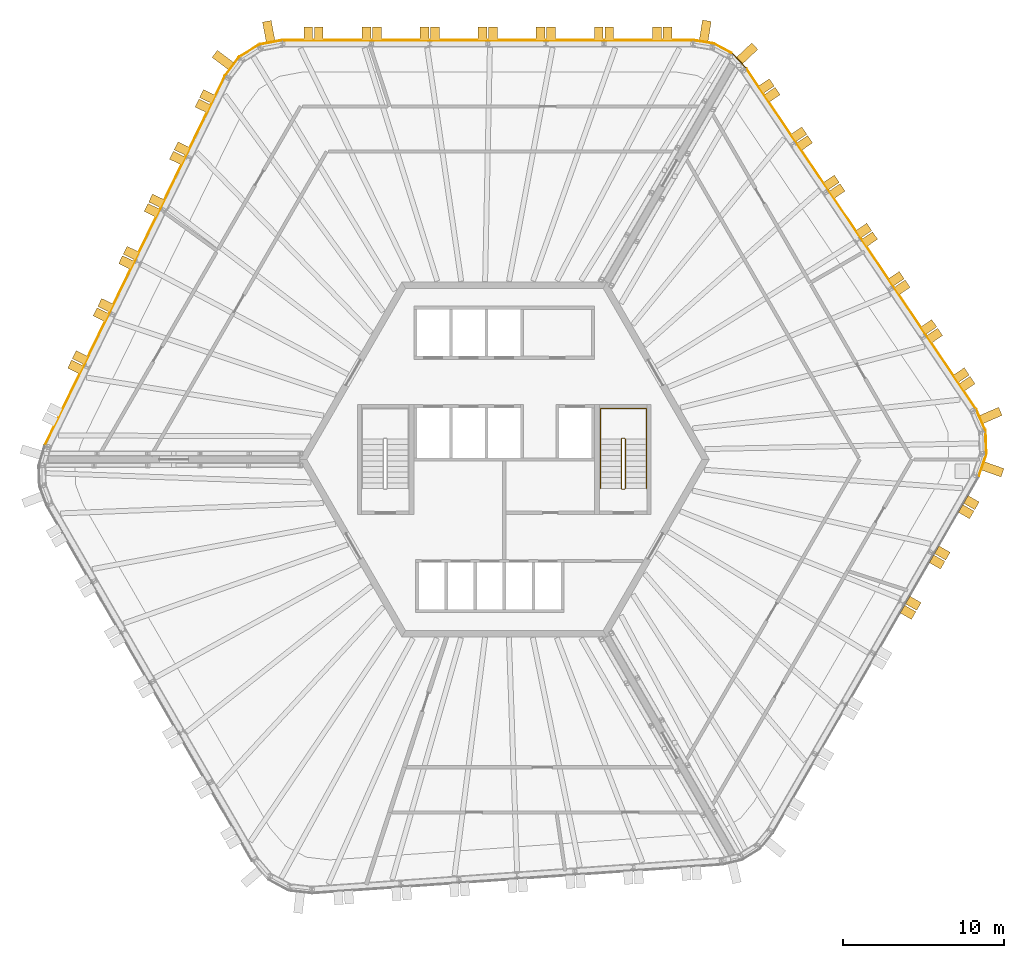
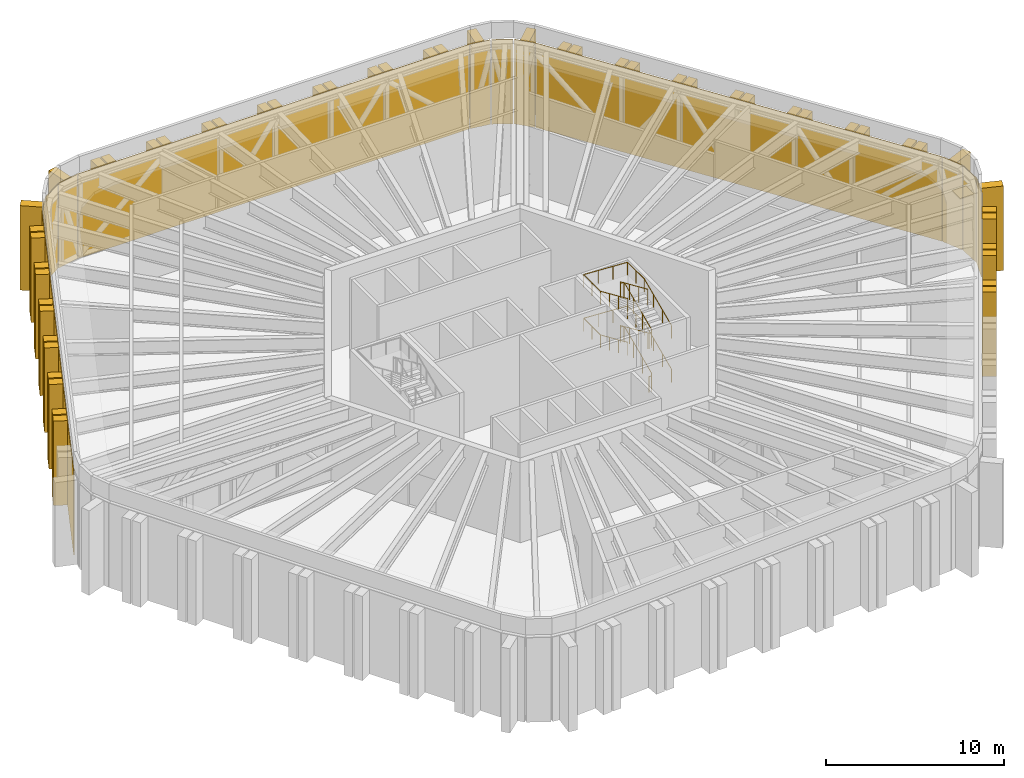
# One storey, part 19 of 19: 64 shading devices, 3 railings.
"""IFC4 building model written with IfcOpenShell, lengths in metres."""

from ifc_helpers import new_model, si_unit, direction, frame, origin, origin_2d, place, context, subcontext, project, spatial, polyline, circle, outline, extrude, material, layer, layer_set, type_object, element, save


model = new_model("IFC4")

# Units and contexts
model_context = context("Model", 3, precision=1e-05, world=origin(), true_north=direction((0.0, 1.0)))
body_context = subcontext(model_context, "Body", "Model", "MODEL_VIEW")
ifc_project = project(units=[si_unit("LENGTHUNIT", "METRE"), si_unit("AREAUNIT", "SQUARE_METRE"), si_unit("VOLUMEUNIT", "CUBIC_METRE"), si_unit("PLANEANGLEUNIT", "RADIAN"), si_unit("MASSUNIT", "GRAM", prefix="KILO")], contexts=[model_context])

# Site, building, storey
site_placement = place(None, origin())
site = spatial("IfcSite", under=ifc_project, at=site_placement, CompositionType="ELEMENT")
building_placement = place(site_placement, origin())
building = spatial("IfcBuilding", under=site, at=building_placement, Name="Tarnside Tower", CompositionType="ELEMENT")
storey_placement = place(building_placement, frame((0.0, 0.0, 343.5)))
storey = spatial("IfcBuildingStorey", under=building, at=storey_placement, Name="L83", CompositionType="ELEMENT", Elevation=343.5)

# Shading devices
ifc_material_1 = material(Name="Aluminium alloy 6063 louvre", Category="aluminium")
shading_device_type_1 = type_object("IfcShadingDeviceType", Name="Louvre panel 48", PredefinedType="USERDEFINED", material=ifc_material_1)
shading_device_1_placement = place(storey_placement, frame((-1.024658203125, 25.951416015625, -0.300048828125), z_axis=(1.0, 0.0, 0.0), x_axis=(0.0, 1.0, 0.0)))
element("IfcShadingDevice", 1, at=shading_device_1_placement, inside=storey, type_object=shading_device_type_1, Name="Louvre L83 001", ObjectType="LOUVRE", PredefinedType="USERDEFINED", context=body_context, shape_type="SweptSolid", body=[
    extrude(outline(polyline([(0.0, 0.0), (0.048583984375, 0.0), (0.048583984375, 5.800048828125), (0.0, 5.800048828125), (0.0, 0.0)])), frame((0.0, 0.0, -12.72216796875)), (0.0, 0.0, 1.0), 25.444580078125),
])
for number, where, z_axis, x_axis, name in (
    (2, (-14.466552734375, 25.819580078125, -0.300048828125), (0.982716086324, 0.185119133749, 0.0), (-0.185119133749, 0.982716086324, 0.0), "Louvre L83 002"),
    (3, (-15.806884765625, 25.296142578125, -0.300048828125), (0.848046866281, 0.52992123244, 0.0), (-0.52992123244, 0.848046866281, 0.0), "Louvre L83 003"),
    (4, (-16.86474609375, 24.321044921875, -0.300048828125), (0.597172479283, 0.802112853648, 0.0), (-0.802112853648, 0.597172479283, 0.0), "Louvre L83 004"),
):
    element("IfcShadingDevice", number, at=place(storey_placement, frame(where, z_axis=z_axis, x_axis=x_axis)), inside=storey, type_object=shading_device_type_1, Name=name, ObjectType="LOUVRE", PredefinedType="USERDEFINED", context=body_context, shape_type="SweptSolid", body=[
        extrude(outline(polyline([(0.0, 0.0), (0.048583984375, 0.0), (0.048583984375, 5.800048828125), (0.0, 5.800048828125), (0.0, 0.0)])), frame((0.0, 0.0, -0.694091796875)), (0.0, 0.0, 1.0), 1.38818359375),
    ])
shading_device_2_placement = place(storey_placement, frame((-22.875732421875, 12.29736328125, -0.300048828125), z_axis=(0.438369584529, 0.898794808263, 0.0), x_axis=(-0.898794808263, 0.438369584529, 0.0)))
element("IfcShadingDevice", 5, at=shading_device_2_placement, inside=storey, type_object=shading_device_type_1, Name="Louvre L83 005", ObjectType="LOUVRE", PredefinedType="USERDEFINED", context=body_context, shape_type="SweptSolid", body=[
    extrude(outline(polyline([(0.0, 0.0), (0.048583984375, 0.0), (0.048583984375, 5.800048828125), (0.0, 5.800048828125), (0.0, 0.0)])), frame((0.0, 0.0, -12.722412109375)), (0.0, 0.0, 1.0), 25.44482421875),
])
for number, where, z_axis, x_axis, name in (
    (6, (29.59375, -0.38134765625, -0.300048828125), (-0.331078710953, -0.943603140708, 0.0), (0.943603140708, -0.331078710953, 0.0), "Louvre L83 018"),
    (7, (29.810546875, 1.041015625, -0.300048828125), (0.034864188899, -0.99939205937, 0.0), (0.99939205937, 0.034864188899, 0.0), "Louvre L83 019"),
    (8, (29.494873046875, 2.44482421875, -0.300048828125), (0.396135174217, -0.918192204142, 0.0), (0.918192204142, 0.396135174217, 0.0), "Louvre L83 020"),
):
    element("IfcShadingDevice", number, at=place(storey_placement, frame(where, z_axis=z_axis, x_axis=x_axis)), inside=storey, type_object=shading_device_type_1, Name=name, ObjectType="LOUVRE", PredefinedType="USERDEFINED", context=body_context, shape_type="SweptSolid", body=[
        extrude(outline(polyline([(0.0, 0.0), (0.048583984375, 0.0), (0.048583984375, 5.800048828125), (0.0, 5.800048828125), (0.0, 0.0)])), frame((0.0, 0.0, -0.694091796875)), (0.0, 0.0, 1.0), 1.38818359375),
    ])
shading_device_3_placement = place(storey_placement, frame((22.087890625, 13.662353515625, -0.300048828125), z_axis=(0.559191422957, -0.829038571172, 0.0), x_axis=(0.829038571172, 0.559191422957, 0.0)))
element("IfcShadingDevice", 9, at=shading_device_3_placement, inside=storey, type_object=shading_device_type_1, Name="Louvre L83 021", ObjectType="LOUVRE", PredefinedType="USERDEFINED", context=body_context, shape_type="SweptSolid", body=[
    extrude(outline(polyline([(0.0, 0.0), (0.048583984375, 0.0), (0.048583984375, 5.800048828125), (0.0, 5.800048828125), (0.0, 0.0)])), frame((0.0, 0.0, -12.722412109375)), (0.0, 0.0, 1.0), 25.44482421875),
])
for number, where, z_axis, x_axis, name in (
    (10, (14.53564453125, 24.677734375, -0.300048828125), (0.686254077442, -0.727361905239, 0.0), (0.727361905239, 0.686254077442, 0.0), "Louvre L83 022"),
    (11, (13.529296875, 25.445068359375, -0.300048828125), (0.88296665227, -0.469435715492, 0.0), (0.469435715492, 0.88296665227, 0.0), "Louvre L83 023"),
    (12, (12.330322265625, 25.85009765625, -0.300048828125), (0.98675591714, -0.162212083363, 0.0), (0.162212083363, 0.98675591714, 0.0), "Louvre L83 024"),
):
    element("IfcShadingDevice", number, at=place(storey_placement, frame(where, z_axis=z_axis, x_axis=x_axis)), inside=storey, type_object=shading_device_type_1, Name=name, ObjectType="LOUVRE", PredefinedType="USERDEFINED", context=body_context, shape_type="SweptSolid", body=[
        extrude(outline(polyline([(0.0, 0.0), (0.048583984375, 0.0), (0.048583984375, 5.800048828125), (0.0, 5.800048828125), (0.0, 0.0)])), frame((0.0, 0.0, -0.608154296875)), (0.0, 0.0, 1.0), 1.21630859375),
    ])
ifc_material_2 = material(Name="Concrete C50/60 white precast", Category="concrete")
ifc_layer_1 = layer(ifc_material_2, 0.550048828125)
ifc_layer_set_1 = layer_set([ifc_layer_1], Name="Precast fin 550 x 1300")
shading_device_type_2 = type_object("IfcShadingDeviceType", Name="Precast fin 550 x 1300", PredefinedType="USERDEFINED", material=ifc_layer_set_1)
for number, where, z_axis, x_axis, name in (
    (13, (-14.4755859375, 25.8671875, -0.300048828125), (0.982720646705, 0.18509492305, 0.0), (-0.18509492305, 0.982720646705, 0.0), "Precast fin"),
    (14, (-16.903564453125, 24.349853515625, -0.300048828125), (0.597158591707, 0.802123192752, 0.0), (-0.802123192752, 0.597158591707, 0.0), "Precast fin"),
    (15, (29.639404296875, -0.3974609375, -0.300048828125), (-0.331063417879, -0.943608506396, 0.0), (0.943608506396, -0.331063417879, 0.0), "Precast fin"),
    (16, (29.53955078125, 2.464111328125, -0.300048828125), (0.396079766034, -0.918216106883, 0.0), (0.918216106883, 0.396079766034, 0.0), "Precast fin"),
    (17, (14.571044921875, 24.7109375, -0.300048828125), (0.686241637865, -0.727373641577, 0.0), (0.727373641577, 0.686241637865, 0.0), "Precast fin"),
    (18, (12.33837890625, 25.89794921875, -0.300048828125), (0.986761532114, -0.1621779231, 0.0), (0.1621779231, 0.986761532114, 0.0), "Precast fin"),
):
    element("IfcShadingDevice", number, at=place(storey_placement, frame(where, z_axis=z_axis, x_axis=x_axis)), inside=storey, type_object=shading_device_type_2, Name=name, ObjectType="FIN", PredefinedType="USERDEFINED", context=body_context, shape_type="SweptSolid", body=[
        extrude(outline(polyline([(0.0, 0.0), (1.300048828125, 0.0), (1.300048828125, 5.800048828125), (0.0, 5.800048828125), (0.0, 0.0)])), frame((0.0, 0.0, -0.27490234375)), (0.0, 0.0, 1.0), 0.550048828125),
    ])
ifc_layer_2 = layer(ifc_material_2, 0.550048828125)
ifc_layer_set_2 = layer_set([ifc_layer_2], Name="Precast fin 550 x 800")
shading_device_type_3 = type_object("IfcShadingDeviceType", Name="Precast fin 550 x 800", PredefinedType="USERDEFINED", material=ifc_layer_set_2)
for number, where, z_axis, x_axis, name in (
    (19, (10.10009765625, 26.0, -0.300048828125), (1.0, 0.0, 0.0), (0.0, 1.0, 0.0), "Precast fin"),
    (20, (9.4501953125, 26.0, -0.300048828125), (1.0, 0.0, 0.0), (0.0, 1.0, 0.0), "Precast fin"),
    (21, (6.500244140625, 26.0, -0.300048828125), (1.0, 0.0, 0.0), (0.0, 1.0, 0.0), "Precast fin"),
    (22, (5.85009765625, 26.0, -0.300048828125), (1.0, 0.0, 0.0), (0.0, 1.0, 0.0), "Precast fin"),
    (23, (2.900146484375, 26.0, -0.300048828125), (1.0, 0.0, 0.0), (0.0, 1.0, 0.0), "Precast fin"),
    (24, (2.250244140625, 26.0, -0.300048828125), (1.0, 0.0, 0.0), (0.0, 1.0, 0.0), "Precast fin"),
    (25, (-0.69970703125, 26.0, -0.300048828125), (1.0, 0.0, 0.0), (0.0, 1.0, 0.0), "Precast fin"),
    (26, (-1.349853515625, 26.0, -0.300048828125), (1.0, 0.0, 0.0), (0.0, 1.0, 0.0), "Precast fin"),
    (27, (-4.2998046875, 26.0, -0.300048828125), (1.0, 0.0, 0.0), (0.0, 1.0, 0.0), "Precast fin"),
    (28, (-4.94970703125, 26.0, -0.300048828125), (1.0, 0.0, 0.0), (0.0, 1.0, 0.0), "Precast fin"),
    (29, (-7.89990234375, 26.0, -0.300048828125), (1.0, 0.0, 0.0), (0.0, 1.0, 0.0), "Precast fin"),
    (30, (-8.5498046875, 26.0, -0.300048828125), (1.0, 0.0, 0.0), (0.0, 1.0, 0.0), "Precast fin"),
    (31, (-11.499755859375, 26.0, -0.300048828125), (1.0, 0.0, 0.0), (0.0, 1.0, 0.0), "Precast fin"),
    (32, (-12.14990234375, 26.0, -0.300048828125), (1.0, 0.0, 0.0), (0.0, 1.0, 0.0), "Precast fin"),
    (33, (-18.04248046875, 22.31787109375, -0.300048828125), (0.438371146789, 0.898794046299, 0.0), (-0.898794046299, 0.438371146789, 0.0), "Precast fin"),
    (34, (-18.327392578125, 21.733642578125, -0.300048828125), (0.438371146789, 0.898794046299, 0.0), (-0.898794046299, 0.438371146789, 0.0), "Precast fin"),
    (35, (-19.62060546875, 19.08203125, -0.300048828125), (0.438371146789, 0.898794046299, 0.0), (-0.898794046299, 0.438371146789, 0.0), "Precast fin"),
    (36, (-19.905517578125, 18.497802734375, -0.300048828125), (0.438371146789, 0.898794046299, 0.0), (-0.898794046299, 0.438371146789, 0.0), "Precast fin"),
    (37, (-21.19873046875, 15.846435546875, -0.300048828125), (0.438371146789, 0.898794046299, 0.0), (-0.898794046299, 0.438371146789, 0.0), "Precast fin"),
    (38, (-21.48388671875, 15.26220703125, -0.300048828125), (0.438371146789, 0.898794046299, 0.0), (-0.898794046299, 0.438371146789, 0.0), "Precast fin"),
    (39, (-22.77685546875, 12.61083984375, -0.300048828125), (0.438371146789, 0.898794046299, 0.0), (-0.898794046299, 0.438371146789, 0.0), "Precast fin"),
    (40, (-23.06201171875, 12.026611328125, -0.300048828125), (0.438371146789, 0.898794046299, 0.0), (-0.898794046299, 0.438371146789, 0.0), "Precast fin"),
    (41, (-24.35498046875, 9.375, -0.300048828125), (0.438371146789, 0.898794046299, 0.0), (-0.898794046299, 0.438371146789, 0.0), "Precast fin"),
    (42, (-24.64013671875, 8.791015625, -0.300048828125), (0.438371146789, 0.898794046299, 0.0), (-0.898794046299, 0.438371146789, 0.0), "Precast fin"),
    (43, (-25.933349609375, 6.139404296875, -0.300048828125), (0.438371146789, 0.898794046299, 0.0), (-0.898794046299, 0.438371146789, 0.0), "Precast fin"),
    (44, (-26.21826171875, 5.55517578125, -0.300048828125), (0.438371146789, 0.898794046299, 0.0), (-0.898794046299, 0.438371146789, 0.0), "Precast fin"),
    (45, (24.66650390625, -9.2763671875, -0.300048828125), (-0.5, -0.866025403784, 0.0), (0.866025403784, -0.5, 0.0), "Precast fin"),
    (46, (24.991455078125, -8.71337890625, -0.300048828125), (-0.5, -0.866025403784, 0.0), (0.866025403784, -0.5, 0.0), "Precast fin"),
    (47, (26.466552734375, -6.15869140625, -0.300048828125), (-0.5, -0.866025403784, 0.0), (0.866025403784, -0.5, 0.0), "Precast fin"),
    (48, (26.79150390625, -5.595703125, -0.300048828125), (-0.5, -0.866025403784, 0.0), (0.866025403784, -0.5, 0.0), "Precast fin"),
    (49, (28.2666015625, -3.040771484375, -0.300048828125), (-0.5, -0.866025403784, 0.0), (0.866025403784, -0.5, 0.0), "Precast fin"),
    (50, (28.591552734375, -2.47802734375, -0.300048828125), (-0.5, -0.866025403784, 0.0), (0.866025403784, -0.5, 0.0), "Precast fin"),
    (51, (28.34912109375, 4.466552734375, -0.300048828125), (0.559192903471, -0.829037572555, 0.0), (0.829037572555, 0.559192903471, 0.0), "Precast fin"),
    (52, (27.985595703125, 5.00537109375, -0.300048828125), (0.559192903471, -0.829037572555, 0.0), (0.829037572555, 0.559192903471, 0.0), "Precast fin"),
    (53, (26.3359375, 7.450927734375, -0.300048828125), (0.559192903471, -0.829037572555, 0.0), (0.829037572555, 0.559192903471, 0.0), "Precast fin"),
    (54, (25.972412109375, 7.98974609375, -0.300048828125), (0.559192903471, -0.829037572555, 0.0), (0.829037572555, 0.559192903471, 0.0), "Precast fin"),
    (55, (24.32275390625, 10.435546875, -0.300048828125), (0.559192903471, -0.829037572555, 0.0), (0.829037572555, 0.559192903471, 0.0), "Precast fin"),
    (56, (23.95947265625, 10.974365234375, -0.300048828125), (0.559192903471, -0.829037572555, 0.0), (0.829037572555, 0.559192903471, 0.0), "Precast fin"),
    (57, (22.309814453125, 13.419921875, -0.300048828125), (0.559192903471, -0.829037572555, 0.0), (0.829037572555, 0.559192903471, 0.0), "Precast fin"),
    (58, (21.9462890625, 13.958984375, -0.300048828125), (0.559192903471, -0.829037572555, 0.0), (0.829037572555, 0.559192903471, 0.0), "Precast fin"),
    (59, (20.296630859375, 16.404541015625, -0.300048828125), (0.559192903471, -0.829037572555, 0.0), (0.829037572555, 0.559192903471, 0.0), "Precast fin"),
    (60, (19.93310546875, 16.943359375, -0.300048828125), (0.559192903471, -0.829037572555, 0.0), (0.829037572555, 0.559192903471, 0.0), "Precast fin"),
    (61, (18.283447265625, 19.38916015625, -0.300048828125), (0.559192903471, -0.829037572555, 0.0), (0.829037572555, 0.559192903471, 0.0), "Precast fin"),
    (62, (17.920166015625, 19.927978515625, -0.300048828125), (0.559192903471, -0.829037572555, 0.0), (0.829037572555, 0.559192903471, 0.0), "Precast fin"),
    (63, (16.2705078125, 22.37353515625, -0.300048828125), (0.559192903471, -0.829037572555, 0.0), (0.829037572555, 0.559192903471, 0.0), "Precast fin"),
    (64, (15.906982421875, 22.91259765625, -0.300048828125), (0.559192903471, -0.829037572555, 0.0), (0.829037572555, 0.559192903471, 0.0), "Precast fin"),
):
    element("IfcShadingDevice", number, at=place(storey_placement, frame(where, z_axis=z_axis, x_axis=x_axis)), inside=storey, type_object=shading_device_type_3, Name=name, ObjectType="FIN", PredefinedType="USERDEFINED", context=body_context, shape_type="SweptSolid", body=[
        extrude(outline(polyline([(0.0, 0.0), (0.800048828125, 0.0), (0.800048828125, 5.800048828125), (0.0, 5.800048828125), (0.0, 0.0)])), frame((0.0, 0.0, -0.27490234375)), (0.0, 0.0, 1.0), 0.550048828125),
    ])

# Railings
ifc_material_3 = material(Name="Stainless steel", Category="steel")
railing_type_1 = type_object("IfcRailingType", Name="Stair guard 1100", PredefinedType="GUARDRAIL", material=ifc_material_3)
railing_1_placement = place(storey_placement, frame((7.300048828125, -1.85009765625, 0.0)))
element("IfcRailing", 65, at=railing_1_placement, inside=storey, type_object=railing_type_1, Name="L83 ST1 stair guard 1", PredefinedType="GUARDRAIL", context=body_context, shape_type="SweptSolid", body=[
    extrude(circle(Radius=0.02392578125, at=origin_2d()), frame((0.0, 0.0, 1.076171875), z_axis=(1.0, 0.0, 0.0), x_axis=(0.0, 1.0, 0.0)), (0.0, 0.0, 1.0), 0.14990234375),
    extrude(circle(Radius=0.02392578125, at=origin_2d()), frame((0.14990234375, 0.0, 1.076171875), z_axis=(0.301912943143, 0.301912943143, 0.904266083366), x_axis=(-0.707106781187, 0.707106781187, 0.0)), (0.0, 0.0, 1.0), 0.165771484375),
    extrude(circle(Radius=0.02392578125, at=origin_2d()), frame((0.199951171875, 0.050048828125, 1.22607421875), z_axis=(0.0, 0.914909872985, 0.403658177565), x_axis=(-1.0, 0.0, 0.0)), (0.0, 0.0, 1.0), 3.3447265625),
    extrude(circle(Radius=0.02392578125, at=origin_2d()), frame((0.199951171875, 3.110107421875, 2.576171875), z_axis=(-0.707106781187, 0.707106781187, 0.0), x_axis=(-0.707106781187, -0.707106781187, 0.0)), (0.0, 0.0, 1.0), 0.07080078125),
    extrude(circle(Radius=0.02392578125, at=origin_2d()), frame((0.14990234375, 3.16015625, 2.576171875), z_axis=(-1.0, 0.0, 0.0), x_axis=(0.0, -1.0, 0.0)), (0.0, 0.0, 1.0), 0.14990234375),
    extrude(circle(Radius=0.02392578125, at=origin_2d()), frame((0.0, 3.16015625, 2.576171875), z_axis=(-0.301912943143, -0.301912943143, 0.904266083366), x_axis=(0.707106781187, -0.707106781187, 0.0)), (0.0, 0.0, 1.0), 0.165771484375),
    extrude(circle(Radius=0.02392578125, at=origin_2d()), frame((-0.050048828125, 3.110107421875, 2.72607421875), z_axis=(0.0, -0.914909872985, 0.403658177565), x_axis=(1.0, 0.0, 0.0)), (0.0, 0.0, 1.0), 3.3447265625),
    extrude(circle(Radius=0.02392578125, at=origin_2d()), frame((-0.050048828125, 0.050048828125, 4.076171875), z_axis=(0.707106781187, -0.707106781187, 0.0), x_axis=(0.707106781187, 0.707106781187, 0.0)), (0.0, 0.0, 1.0), 0.07080078125),
    extrude(circle(Radius=0.02392578125, at=origin_2d()), frame((0.0, 0.0, 4.076171875), z_axis=(1.0, 0.0, 0.0), x_axis=(0.0, 1.0, 0.0)), (0.0, 0.0, 1.0), 0.14990234375),
    extrude(circle(Radius=0.02392578125, at=origin_2d()), frame((0.14990234375, 0.0, 4.076171875), z_axis=(0.301912943143, 0.301912943143, 0.904266083366), x_axis=(-0.707106781187, 0.707106781187, 0.0)), (0.0, 0.0, 1.0), 0.165771484375),
    extrude(circle(Radius=0.02392578125, at=origin_2d()), frame((0.199951171875, 0.050048828125, 4.22607421875), z_axis=(0.0, 0.914909872985, 0.403658177565), x_axis=(-1.0, 0.0, 0.0)), (0.0, 0.0, 1.0), 3.3447265625),
    extrude(circle(Radius=0.02392578125, at=origin_2d()), frame((0.199951171875, 3.110107421875, 5.576171875), z_axis=(-0.707106781187, 0.707106781187, 0.0), x_axis=(-0.707106781187, -0.707106781187, 0.0)), (0.0, 0.0, 1.0), 0.07080078125),
    extrude(circle(Radius=0.02392578125, at=origin_2d()), frame((0.14990234375, 3.16015625, 5.576171875), z_axis=(-1.0, 0.0, 0.0), x_axis=(0.0, -1.0, 0.0)), (0.0, 0.0, 1.0), 0.14990234375),
    extrude(circle(Radius=0.02392578125, at=origin_2d()), frame((0.0, 3.16015625, 5.576171875), z_axis=(-0.301912943143, -0.301912943143, 0.904266083366), x_axis=(0.707106781187, -0.707106781187, 0.0)), (0.0, 0.0, 1.0), 0.165771484375),
    extrude(circle(Radius=0.02392578125, at=origin_2d()), frame((-0.050048828125, 3.110107421875, 5.72607421875), z_axis=(0.0, -0.914909872985, 0.403658177565), x_axis=(1.0, 0.0, 0.0)), (0.0, 0.0, 1.0), 3.3447265625),
    extrude(circle(Radius=0.02099609375, at=origin_2d()), origin(), (0.0, 0.0, 1.0), 1.052001953125),
    extrude(circle(Radius=0.02099609375, at=origin_2d()), frame((0.14990234375, 0.0, 0.0)), (0.0, 0.0, 1.0), 1.052001953125),
    extrude(circle(Radius=0.02099609375, at=origin_2d()), frame((0.199951171875, 0.050048828125, 0.14990234375)), (0.0, 0.0, 1.0), 1.052001953125),
    extrude(circle(Radius=0.02099609375, at=origin_2d()), frame((0.199951171875, 1.070068359375, 0.599853515625)), (0.0, 0.0, 1.0), 1.052001953125),
    extrude(circle(Radius=0.02099609375, at=origin_2d()), frame((0.199951171875, 2.090087890625, 1.050048828125)), (0.0, 0.0, 1.0), 1.052001953125),
    extrude(circle(Radius=0.02099609375, at=origin_2d()), frame((0.199951171875, 3.110107421875, 1.5)), (0.0, 0.0, 1.0), 1.052001953125),
    extrude(circle(Radius=0.02099609375, at=origin_2d()), frame((0.14990234375, 3.16015625, 1.5)), (0.0, 0.0, 1.0), 1.052001953125),
    extrude(circle(Radius=0.02099609375, at=origin_2d()), frame((0.0, 3.16015625, 1.5)), (0.0, 0.0, 1.0), 1.052001953125),
    extrude(circle(Radius=0.02099609375, at=origin_2d()), frame((-0.050048828125, 3.110107421875, 1.64990234375)), (0.0, 0.0, 1.0), 1.052001953125),
    extrude(circle(Radius=0.02099609375, at=origin_2d()), frame((-0.050048828125, 2.090087890625, 2.099853515625)), (0.0, 0.0, 1.0), 1.052001953125),
    extrude(circle(Radius=0.02099609375, at=origin_2d()), frame((-0.050048828125, 1.070068359375, 2.550048828125)), (0.0, 0.0, 1.0), 1.052001953125),
    extrude(circle(Radius=0.02099609375, at=origin_2d()), frame((-0.050048828125, 0.050048828125, 3.0)), (0.0, 0.0, 1.0), 1.052001953125),
    extrude(circle(Radius=0.02099609375, at=origin_2d()), frame((0.0, 0.0, 3.0)), (0.0, 0.0, 1.0), 1.052001953125),
    extrude(circle(Radius=0.02099609375, at=origin_2d()), frame((0.14990234375, 0.0, 3.0)), (0.0, 0.0, 1.0), 1.052001953125),
    extrude(circle(Radius=0.02099609375, at=origin_2d()), frame((0.199951171875, 0.050048828125, 3.14990234375)), (0.0, 0.0, 1.0), 1.052001953125),
    extrude(circle(Radius=0.02099609375, at=origin_2d()), frame((0.199951171875, 1.070068359375, 3.599853515625)), (0.0, 0.0, 1.0), 1.052001953125),
    extrude(circle(Radius=0.02099609375, at=origin_2d()), frame((0.199951171875, 2.090087890625, 4.050048828125)), (0.0, 0.0, 1.0), 1.052001953125),
    extrude(circle(Radius=0.02099609375, at=origin_2d()), frame((0.199951171875, 3.110107421875, 4.5)), (0.0, 0.0, 1.0), 1.052001953125),
    extrude(circle(Radius=0.02099609375, at=origin_2d()), frame((0.14990234375, 3.16015625, 4.5)), (0.0, 0.0, 1.0), 1.052001953125),
    extrude(circle(Radius=0.02099609375, at=origin_2d()), frame((0.0, 3.16015625, 4.5)), (0.0, 0.0, 1.0), 1.052001953125),
    extrude(circle(Radius=0.02099609375, at=origin_2d()), frame((-0.050048828125, 3.110107421875, 4.64990234375)), (0.0, 0.0, 1.0), 1.052001953125),
    extrude(circle(Radius=0.02099609375, at=origin_2d()), frame((-0.050048828125, 2.090087890625, 5.099853515625)), (0.0, 0.0, 1.0), 1.052001953125),
    extrude(circle(Radius=0.02099609375, at=origin_2d()), frame((-0.050048828125, 1.070068359375, 5.550048828125)), (0.0, 0.0, 1.0), 1.052001953125),
    extrude(circle(Radius=0.02099609375, at=origin_2d()), frame((-0.050048828125, 0.050048828125, 6.0)), (0.0, 0.0, 1.0), 1.052001953125),
])
railing_type_2 = type_object("IfcRailingType", Name="Stair handrail 900", PredefinedType="HANDRAIL", material=ifc_material_3)
railing_2_placement = place(storey_placement, frame((8.800048828125, -1.800048828125, 0.14990234375)))
element("IfcRailing", 66, at=railing_2_placement, inside=storey, type_object=railing_type_2, Name="L83 ST1 stair handrail 1", PredefinedType="HANDRAIL", context=body_context, shape_type="SweptSolid", body=[
    extrude(circle(Radius=0.02392578125, at=origin_2d()), frame((0.0, 0.0, 0.8857421875), z_axis=(0.0, 0.914909872985, 0.403658177565), x_axis=(-1.0, 0.0, 0.0)), (0.0, 0.0, 1.0), 3.3447265625),
    extrude(circle(Radius=0.02392578125, at=origin_2d()), frame((0.0, 3.06005859375, 2.23583984375), z_axis=(0.0, 1.0, 0.0), x_axis=(-1.0, 0.0, 0.0)), (0.0, 0.0, 1.0), 1.889892578125),
    extrude(circle(Radius=0.02392578125, at=origin_2d()), frame((0.0, 4.949951171875, 2.23583984375), z_axis=(-0.998619719122, 0.0, 0.052522914814), x_axis=(0.0, -1.0, 0.0)), (0.0, 0.0, 1.0), 2.85400390625),
    extrude(circle(Radius=0.02392578125, at=origin_2d()), frame((-2.85009765625, 4.949951171875, 2.3857421875), z_axis=(0.0, -1.0, 0.0), x_axis=(1.0, 0.0, 0.0)), (0.0, 0.0, 1.0), 1.889892578125),
    extrude(circle(Radius=0.02392578125, at=origin_2d()), frame((-2.85009765625, 3.06005859375, 2.3857421875), z_axis=(0.0, -0.914909872985, 0.403658177565), x_axis=(1.0, 0.0, 0.0)), (0.0, 0.0, 1.0), 3.3447265625),
    extrude(circle(Radius=0.02099609375, at=origin_2d()), origin(), (0.0, 0.0, 1.0), 0.86181640625),
    extrude(circle(Radius=0.02099609375, at=origin_2d()), frame((0.0, 1.02001953125, 0.449951171875)), (0.0, 0.0, 1.0), 0.86181640625),
    extrude(circle(Radius=0.02099609375, at=origin_2d()), frame((0.0, 2.0400390625, 0.900146484375)), (0.0, 0.0, 1.0), 0.86181640625),
    extrude(circle(Radius=0.02099609375, at=origin_2d()), frame((0.0, 3.06005859375, 1.35009765625)), (0.0, 0.0, 1.0), 0.86181640625),
    extrude(circle(Radius=0.02099609375, at=origin_2d()), frame((0.0, 4.0048828125, 1.35009765625)), (0.0, 0.0, 1.0), 0.86181640625),
    extrude(circle(Radius=0.02099609375, at=origin_2d()), frame((0.0, 4.949951171875, 1.35009765625)), (0.0, 0.0, 1.0), 0.86181640625),
    extrude(circle(Radius=0.02099609375, at=origin_2d()), frame((-0.949951171875, 4.949951171875, 1.400146484375)), (0.0, 0.0, 1.0), 0.86181640625),
    extrude(circle(Radius=0.02099609375, at=origin_2d()), frame((-1.900146484375, 4.949951171875, 1.449951171875)), (0.0, 0.0, 1.0), 0.86181640625),
    extrude(circle(Radius=0.02099609375, at=origin_2d()), frame((-2.85009765625, 4.949951171875, 1.5)), (0.0, 0.0, 1.0), 0.86181640625),
    extrude(circle(Radius=0.02099609375, at=origin_2d()), frame((-2.85009765625, 4.0048828125, 1.5)), (0.0, 0.0, 1.0), 0.86181640625),
    extrude(circle(Radius=0.02099609375, at=origin_2d()), frame((-2.85009765625, 3.06005859375, 1.5)), (0.0, 0.0, 1.0), 0.86181640625),
    extrude(circle(Radius=0.02099609375, at=origin_2d()), frame((-2.85009765625, 2.0400390625, 1.949951171875)), (0.0, 0.0, 1.0), 0.86181640625),
    extrude(circle(Radius=0.02099609375, at=origin_2d()), frame((-2.85009765625, 1.02001953125, 2.400146484375)), (0.0, 0.0, 1.0), 0.86181640625),
    extrude(circle(Radius=0.02099609375, at=origin_2d()), frame((-2.85009765625, 0.0, 2.85009765625)), (0.0, 0.0, 1.0), 0.86181640625),
])
railing_3_placement = place(storey_placement, frame((8.800048828125, -1.800048828125, 3.14990234375)))
element("IfcRailing", 67, at=railing_3_placement, inside=storey, type_object=railing_type_2, Name="L83 ST1 stair handrail 2", PredefinedType="HANDRAIL", context=body_context, shape_type="SweptSolid", body=[
    extrude(circle(Radius=0.02392578125, at=origin_2d()), frame((0.0, 0.0, 0.8857421875), z_axis=(0.0, 0.914909872985, 0.403658177565), x_axis=(-1.0, 0.0, 0.0)), (0.0, 0.0, 1.0), 3.3447265625),
    extrude(circle(Radius=0.02392578125, at=origin_2d()), frame((0.0, 3.06005859375, 2.23583984375), z_axis=(0.0, 1.0, 0.0), x_axis=(-1.0, 0.0, 0.0)), (0.0, 0.0, 1.0), 1.889892578125),
    extrude(circle(Radius=0.02392578125, at=origin_2d()), frame((0.0, 4.949951171875, 2.23583984375), z_axis=(-0.998619719122, 0.0, 0.052522914814), x_axis=(0.0, -1.0, 0.0)), (0.0, 0.0, 1.0), 2.85400390625),
    extrude(circle(Radius=0.02392578125, at=origin_2d()), frame((-2.85009765625, 4.949951171875, 2.3857421875), z_axis=(0.0, -1.0, 0.0), x_axis=(1.0, 0.0, 0.0)), (0.0, 0.0, 1.0), 1.889892578125),
    extrude(circle(Radius=0.02392578125, at=origin_2d()), frame((-2.85009765625, 3.06005859375, 2.3857421875), z_axis=(0.0, -0.914909872985, 0.403658177565), x_axis=(1.0, 0.0, 0.0)), (0.0, 0.0, 1.0), 3.3447265625),
    extrude(circle(Radius=0.02099609375, at=origin_2d()), origin(), (0.0, 0.0, 1.0), 0.86181640625),
    extrude(circle(Radius=0.02099609375, at=origin_2d()), frame((0.0, 1.02001953125, 0.449951171875)), (0.0, 0.0, 1.0), 0.86181640625),
    extrude(circle(Radius=0.02099609375, at=origin_2d()), frame((0.0, 2.0400390625, 0.900146484375)), (0.0, 0.0, 1.0), 0.86181640625),
    extrude(circle(Radius=0.02099609375, at=origin_2d()), frame((0.0, 3.06005859375, 1.35009765625)), (0.0, 0.0, 1.0), 0.86181640625),
    extrude(circle(Radius=0.02099609375, at=origin_2d()), frame((0.0, 4.0048828125, 1.35009765625)), (0.0, 0.0, 1.0), 0.86181640625),
    extrude(circle(Radius=0.02099609375, at=origin_2d()), frame((0.0, 4.949951171875, 1.35009765625)), (0.0, 0.0, 1.0), 0.86181640625),
    extrude(circle(Radius=0.02099609375, at=origin_2d()), frame((-0.949951171875, 4.949951171875, 1.400146484375)), (0.0, 0.0, 1.0), 0.86181640625),
    extrude(circle(Radius=0.02099609375, at=origin_2d()), frame((-1.900146484375, 4.949951171875, 1.449951171875)), (0.0, 0.0, 1.0), 0.86181640625),
    extrude(circle(Radius=0.02099609375, at=origin_2d()), frame((-2.85009765625, 4.949951171875, 1.5)), (0.0, 0.0, 1.0), 0.86181640625),
    extrude(circle(Radius=0.02099609375, at=origin_2d()), frame((-2.85009765625, 4.0048828125, 1.5)), (0.0, 0.0, 1.0), 0.86181640625),
    extrude(circle(Radius=0.02099609375, at=origin_2d()), frame((-2.85009765625, 3.06005859375, 1.5)), (0.0, 0.0, 1.0), 0.86181640625),
    extrude(circle(Radius=0.02099609375, at=origin_2d()), frame((-2.85009765625, 2.0400390625, 1.949951171875)), (0.0, 0.0, 1.0), 0.86181640625),
    extrude(circle(Radius=0.02099609375, at=origin_2d()), frame((-2.85009765625, 1.02001953125, 2.400146484375)), (0.0, 0.0, 1.0), 0.86181640625),
    extrude(circle(Radius=0.02099609375, at=origin_2d()), frame((-2.85009765625, 0.0, 2.85009765625)), (0.0, 0.0, 1.0), 0.86181640625),
])

save(model, "model.ifc")
